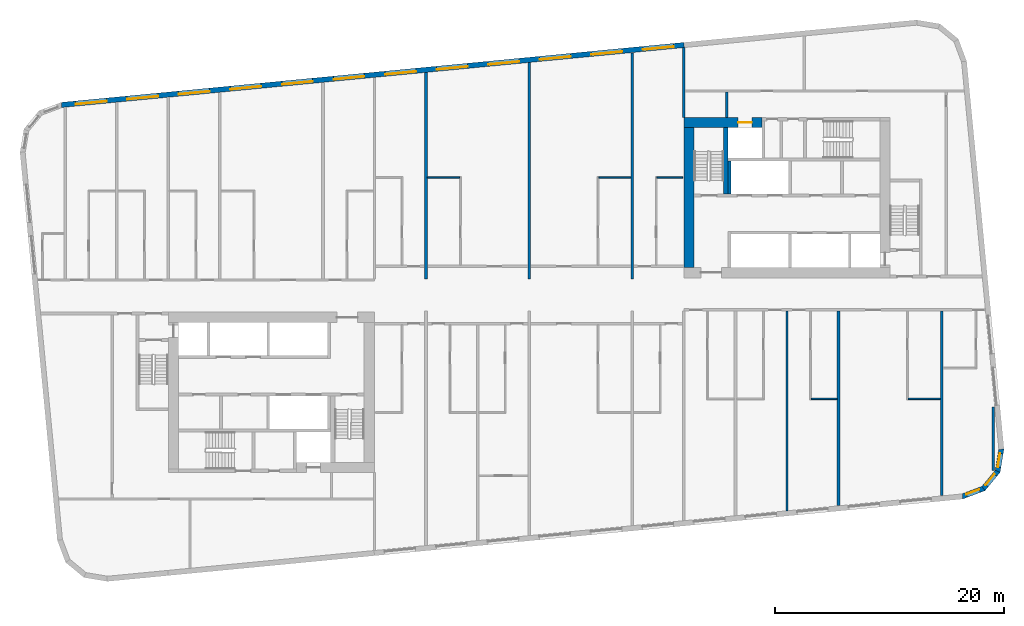
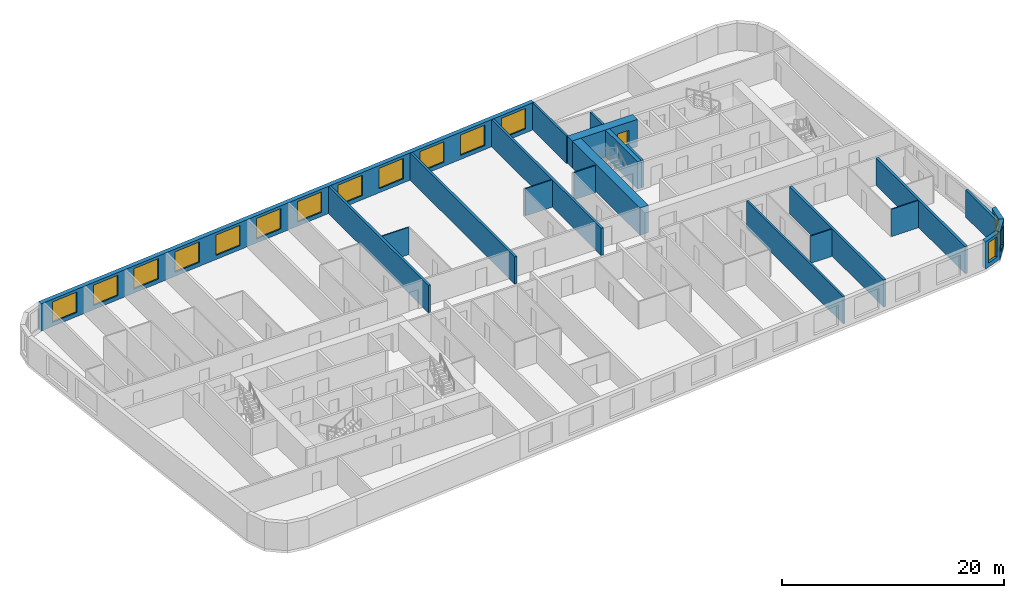
# One storey, part 6 of 12: 22 walls, 15 windows, 1 door, 16 openings.
"""IFC4 building model written with IfcOpenShell, lengths in metres."""

from ifc_helpers import new_model, si_unit, direction, frame, frame_2d, origin, place, context, subcontext, project, spatial, polyline, rectangle, outline, extrude, material, layer, layer_set, type_object, element, fill, save


model = new_model("IFC4")

# Units and contexts
model_context = context("Model", 3, precision=1e-05, world=origin(), true_north=direction((0.0, 1.0)))
body_context = subcontext(model_context, "Body", "Model", "MODEL_VIEW")
ifc_project = project(units=[si_unit("LENGTHUNIT", "METRE"), si_unit("AREAUNIT", "SQUARE_METRE"), si_unit("VOLUMEUNIT", "CUBIC_METRE"), si_unit("PLANEANGLEUNIT", "RADIAN"), si_unit("MASSUNIT", "GRAM", prefix="KILO")], contexts=[model_context])

# Site, building, storey
site_placement = place(None, origin())
site = spatial("IfcSite", under=ifc_project, at=site_placement, CompositionType="ELEMENT")
building_placement = place(site_placement, origin())
building = spatial("IfcBuilding", under=site, at=building_placement, Name="Kajstack Hotel Tower", CompositionType="ELEMENT")
storey_placement = place(building_placement, frame((0.0, 0.0, 203.199951171875)))
storey = spatial("IfcBuildingStorey", under=building, at=storey_placement, Name="L49", CompositionType="ELEMENT", Elevation=203.199951171875)

# Wall, opening, door
ifc_material_1 = material(Name="Concrete C60/75", Category="concrete")
ifc_layer_1 = layer(ifc_material_1, 0.89990234375)
ifc_layer_set_1 = layer_set([ifc_layer_1], Name="Core wall 900")
wall_type_1 = type_object("IfcWallType", Name="Core wall 900", PredefinedType="SHEAR", material=ifc_layer_set_1)
wall_1_placement = place(storey_placement, frame((13.5, 15.050048828125, 0.0), z_axis=(0.0, 0.0, 1.0), x_axis=(1.0, 0.0, 0.0)))
wall_1 = element("IfcWall", 1, at=wall_1_placement, inside=storey, type_object=wall_type_1, Name="Core wall E RS", PredefinedType="SHEAR", context=body_context, shape_type="SweptSolid", body=[
    extrude(rectangle(XDim=6.800048828125, YDim=0.89990234375, at=frame_2d((3.39990234375, 0.0))), origin(), (0.0, 0.0, 1.0), 3.0),
])
opening_1_placement = place(wall_1_placement, frame((4.72509765625, 0.0, 0.0)))
opening_1 = element("IfcOpeningElement", 2, at=opening_1_placement, cuts=wall_1, Name="Opening LD-SV2", PredefinedType="OPENING", context=body_context, shape_type="SweptSolid", body=[
    extrude(rectangle(XDim=1.199951171875, YDim=2.10009765625, at=frame_2d((0.60009765625, 1.050048828125))), frame((0.0, 0.4599609375, 0.0), z_axis=(0.0, -1.0, 0.0), x_axis=(1.0, 0.0, 0.0)), (0.0, 0.0, 1.0), 0.919921875),
])
ifc_material_2 = material(Name="Stainless steel", Category="steel")
door_type = type_object("IfcDoorType", Name="Lift landing door 1200", OperationType="SLIDING_TO_LEFT", PredefinedType="DOOR", material=ifc_material_2)
door_placement = place(opening_1_placement, origin())
door = element("IfcDoor", 3, at=door_placement, inside=storey, type_object=door_type, Name="Landing door SV2", OperationType="SLIDING_TO_LEFT", OverallHeight=2.10009765625, OverallWidth=1.199951171875, PredefinedType="DOOR", context=body_context, shape_type="SweptSolid", body=[
    extrude(rectangle(XDim=1.199951171875, YDim=2.10009765625, at=frame_2d((0.60009765625, 1.050048828125))), frame((0.0, 0.02490234375, 0.0), z_axis=(0.0, -1.0, 0.0), x_axis=(1.0, 0.0, 0.0)), (0.0, 0.0, 1.0), 0.050048828125),
])
fill(opening_1, door)

# Walls
wall_2_placement = place(storey_placement, frame((13.949951171875, 2.39990234375, 0.0), z_axis=(0.0, 0.0, 1.0), x_axis=(0.0, 1.0, 0.0)))
element("IfcWall", 4, at=wall_2_placement, inside=storey, type_object=wall_type_1, Name="Core wall E RE", PredefinedType="SHEAR", context=body_context, shape_type="SweptSolid", body=[
    extrude(rectangle(XDim=12.2001953125, YDim=0.89990234375, at=frame_2d((6.10009765625, 0.0))), origin(), (0.0, 0.0, 1.0), 3.0),
])
ifc_material_3 = material(Name="Twin-frame gypsum board on steel studs, mineral wool", Category="steel")
ifc_layer_2 = layer(ifc_material_3, 0.199951171875)
ifc_layer_set_2 = layer_set([ifc_layer_2], Name="Demising wall 200")
wall_type_2 = type_object("IfcWallType", Name="Demising wall 200", PredefinedType="PARTITIONING", material=ifc_layer_set_2)
wall_3_placement = place(storey_placement, frame((13.5, 15.5, 0.0), z_axis=(0.0, 0.0, 1.0), x_axis=(0.0, 1.0, 0.0)))
element("IfcWall", 5, at=wall_3_placement, inside=storey, type_object=wall_type_2, Name="G-wall-L49-001", PredefinedType="PARTITIONING", context=body_context, shape_type="SweptSolid", body=[
    extrude(rectangle(XDim=6.089111328125, YDim=0.199951171875, at=frame_2d((3.04443359375, 0.0))), origin(), (0.0, 0.0, 1.0), 3.0),
])
wall_4_placement = place(storey_placement, frame((22.5, -18.833984375, 0.0), z_axis=(0.0, 0.0, 1.0), x_axis=(0.0, 1.0, 0.0)))
element("IfcWall", 6, at=wall_4_placement, inside=storey, type_object=wall_type_2, Name="G-wall-L49-045", PredefinedType="PARTITIONING", context=body_context, shape_type="SweptSolid", body=[
    extrude(rectangle(XDim=17.43408203125, YDim=0.199951171875, at=frame_2d((8.717041015625, 0.0))), origin(), (0.0, 0.0, 1.0), 3.0),
])

# Wall, opening, window
ifc_material_4 = material(Name="Terracotta-faced brick masonry", Category="masonry")
ifc_layer_3 = layer(ifc_material_4, 0.449951171875)
ifc_layer_set_3 = layer_set([ifc_layer_3], Name="EW-TERRA")
wall_type_3 = type_object("IfcWallType", Name="EW-TERRA", PredefinedType="SOLIDWALL", material=ifc_layer_set_3)
wall_5_placement = place(storey_placement, frame((37.76123046875, -17.598388671875, 0.0), z_axis=(0.0, 0.0, 1.0), x_axis=(0.936677599948, 0.350192909346, 0.0)))
wall_5 = element("IfcWall", 7, at=wall_5_placement, inside=storey, type_object=wall_type_3, Name="E-wall-L49-05-00", PredefinedType="SOLIDWALL", context=body_context, shape_type="SweptSolid", body=[
    extrude(outline(polyline([(0.0, -0.22509765625), (2.070556640625, -0.224853515625), (1.949951171875, 0.22509765625), (0.12060546875, 0.22509765625), (0.0, -0.22509765625)])), origin(), (0.0, 0.0, 1.0), 3.0),
])
opening_2_placement = place(wall_5_placement, frame((0.435302734375, 0.0, 0.449951171875)))
opening_2 = element("IfcOpeningElement", 8, at=opening_2_placement, cuts=wall_5, Name="Opening W3", PredefinedType="OPENING", context=body_context, shape_type="SweptSolid", body=[
    extrude(rectangle(XDim=1.199951171875, YDim=2.25, at=frame_2d((0.60009765625, 1.125))), frame((0.0, 0.23486328125, 0.0), z_axis=(0.0, -1.0, 0.0), x_axis=(1.0, 0.0, 0.0)), (0.0, 0.0, 1.0), 0.469970703125),
])
ifc_material_5 = material(Name="Timber-aluminium window, triple glazed", Category="wood")
window_type_1 = type_object("IfcWindowType", Name="WG3", PartitioningType="SINGLE_PANEL", PredefinedType="WINDOW", material=ifc_material_5)
window_1_placement = place(opening_2_placement, origin())
window_1 = element("IfcWindow", 9, at=window_1_placement, inside=storey, type_object=window_type_1, Name="Window W3 L49-05", OverallHeight=2.25, OverallWidth=1.199951171875, PartitioningType="SINGLE_PANEL", PredefinedType="WINDOW", context=body_context, shape_type="SweptSolid", body=[
    extrude(rectangle(XDim=1.199951171875, YDim=2.25, at=frame_2d((0.60009765625, 1.125))), frame((0.0, 0.090087890625, 0.0), z_axis=(0.0, -1.0, 0.0), x_axis=(1.0, 0.0, 0.0)), (0.0, 0.0, 1.0), 0.06005859375),
])
fill(opening_2, window_1)

wall_6_placement = place(storey_placement, frame((39.60595703125, -16.94091796875, 0.0), z_axis=(0.0, 0.0, 1.0), x_axis=(0.636116318187, 0.771593176315, 0.0)))
wall_6 = element("IfcWall", 10, at=wall_6_placement, inside=storey, type_object=wall_type_3, Name="E-wall-L49-06-00", PredefinedType="SOLIDWALL", context=body_context, shape_type="SweptSolid", body=[
    extrude(outline(polyline([(0.0, -0.224853515625), (2.070556640625, -0.224853515625), (1.949951171875, 0.22509765625), (0.12060546875, 0.22509765625), (0.0, -0.224853515625)])), origin(), (0.0, 0.0, 1.0), 3.0),
])
opening_3_placement = place(wall_6_placement, frame((0.435302734375, 0.0, 0.449951171875)))
opening_3 = element("IfcOpeningElement", 11, at=opening_3_placement, cuts=wall_6, Name="Opening W3", PredefinedType="OPENING", context=body_context, shape_type="SweptSolid", body=[
    extrude(rectangle(XDim=1.199951171875, YDim=2.25, at=frame_2d((0.60009765625, 1.125))), frame((0.0, 0.23486328125, 0.0), z_axis=(0.0, -1.0, 0.0), x_axis=(1.0, 0.0, 0.0)), (0.0, 0.0, 1.0), 0.469970703125),
])
window_2_placement = place(opening_3_placement, origin())
window_2 = element("IfcWindow", 12, at=window_2_placement, inside=storey, type_object=window_type_1, Name="Window W3 L49-06", OverallHeight=2.25, OverallWidth=1.199951171875, PartitioningType="SINGLE_PANEL", PredefinedType="WINDOW", context=body_context, shape_type="SweptSolid", body=[
    extrude(rectangle(XDim=1.199951171875, YDim=2.25, at=frame_2d((0.60009765625, 1.125))), frame((0.0, 0.090087890625, 0.0), z_axis=(0.0, -1.0, 0.0), x_axis=(1.0, 0.0, 0.0)), (0.0, 0.0, 1.0), 0.06005859375),
])
fill(opening_3, window_2)

wall_7_placement = place(storey_placement, frame((40.874755859375, -15.44921875, 0.0), z_axis=(0.0, 0.0, 1.0), x_axis=(0.164953448126, 0.986301353518, 0.0)))
wall_7 = element("IfcWall", 13, at=wall_7_placement, inside=storey, type_object=wall_type_3, Name="E-wall-L49-07-00", PredefinedType="SOLIDWALL", context=body_context, shape_type="SweptSolid", body=[
    extrude(outline(polyline([(0.0, -0.224853515625), (2.070556640625, -0.22509765625), (1.9501953125, 0.224853515625), (0.12060546875, 0.22509765625), (0.0, -0.224853515625)])), origin(), (0.0, 0.0, 1.0), 3.0),
])
opening_4_placement = place(wall_7_placement, frame((0.435302734375, 0.0, 0.449951171875)))
opening_4 = element("IfcOpeningElement", 14, at=opening_4_placement, cuts=wall_7, Name="Opening W3", PredefinedType="OPENING", context=body_context, shape_type="SweptSolid", body=[
    extrude(rectangle(XDim=1.199951171875, YDim=2.25, at=frame_2d((0.60009765625, 1.125))), frame((0.0, 0.23486328125, 0.0), z_axis=(0.0, -1.0, 0.0), x_axis=(1.0, 0.0, 0.0)), (0.0, 0.0, 1.0), 0.469970703125),
])
window_3_placement = place(opening_4_placement, origin())
window_3 = element("IfcWindow", 15, at=window_3_placement, inside=storey, type_object=window_type_1, Name="Window W3 L49-07", OverallHeight=2.25, OverallWidth=1.199951171875, PartitioningType="SINGLE_PANEL", PredefinedType="WINDOW", context=body_context, shape_type="SweptSolid", body=[
    extrude(rectangle(XDim=1.199951171875, YDim=2.25, at=frame_2d((0.60009765625, 1.125))), frame((0.0, 0.090087890625, 0.0), z_axis=(0.0, -1.0, 0.0), x_axis=(1.0, 0.0, 0.0)), (0.0, 0.0, 1.0), 0.06005859375),
])
fill(opening_4, window_3)

# Wall, openings, windows
wall_8_placement = place(storey_placement, frame((13.521484375, 21.8173828125, 0.0), z_axis=(0.0, 0.0, 1.0), x_axis=(-0.995396508751, -0.095842529008, 0.0)))
wall_8 = element("IfcWall", 16, at=wall_8_placement, inside=storey, type_object=wall_type_3, Name="E-wall-L49-12-02", PredefinedType="SOLIDWALL", context=body_context, shape_type="SweptSolid", body=[
    extrude(rectangle(XDim=54.59130859375, YDim=0.449951171875, at=frame_2d((27.295654296875, 0.0))), origin(), (0.0, 0.0, 1.0), 3.0),
])
opening_5_placement = place(wall_8_placement, frame((0.910400390625, 0.0, 0.449951171875)))
opening_5 = element("IfcOpeningElement", 17, at=opening_5_placement, cuts=wall_8, Name="Opening W1", PredefinedType="OPENING", context=body_context, shape_type="SweptSolid", body=[
    extrude(rectangle(XDim=2.699951171875, YDim=2.25, at=frame_2d((1.35009765625, 1.125))), frame((0.0, 0.23486328125, 0.0), z_axis=(0.0, -1.0, 0.0), x_axis=(1.0, 0.0, 0.0)), (0.0, 0.0, 1.0), 0.469970703125),
])
opening_6_placement = place(wall_8_placement, frame((5.43115234375, 0.0, 0.449951171875)))
opening_6 = element("IfcOpeningElement", 18, at=opening_6_placement, cuts=wall_8, Name="Opening W1", PredefinedType="OPENING", context=body_context, shape_type="SweptSolid", body=[
    extrude(rectangle(XDim=2.699951171875, YDim=2.25, at=frame_2d((1.35009765625, 1.125))), frame((0.0, 0.23486328125, 0.0), z_axis=(0.0, -1.0, 0.0), x_axis=(1.0, 0.0, 0.0)), (0.0, 0.0, 1.0), 0.469970703125),
])
opening_7_placement = place(wall_8_placement, frame((9.951904296875, 0.0, 0.449951171875)))
opening_7 = element("IfcOpeningElement", 19, at=opening_7_placement, cuts=wall_8, Name="Opening W1", PredefinedType="OPENING", context=body_context, shape_type="SweptSolid", body=[
    extrude(rectangle(XDim=2.699951171875, YDim=2.25, at=frame_2d((1.35009765625, 1.125))), frame((0.0, 0.23486328125, 0.0), z_axis=(0.0, -1.0, 0.0), x_axis=(1.0, 0.0, 0.0)), (0.0, 0.0, 1.0), 0.469970703125),
])
opening_8_placement = place(wall_8_placement, frame((14.472900390625, 0.0, 0.449951171875)))
opening_8 = element("IfcOpeningElement", 20, at=opening_8_placement, cuts=wall_8, Name="Opening W1", PredefinedType="OPENING", context=body_context, shape_type="SweptSolid", body=[
    extrude(rectangle(XDim=2.699951171875, YDim=2.25, at=frame_2d((1.35009765625, 1.125))), frame((0.0, 0.23486328125, 0.0), z_axis=(0.0, -1.0, 0.0), x_axis=(1.0, 0.0, 0.0)), (0.0, 0.0, 1.0), 0.469970703125),
])
opening_9_placement = place(wall_8_placement, frame((18.99365234375, 0.0, 0.449951171875)))
opening_9 = element("IfcOpeningElement", 21, at=opening_9_placement, cuts=wall_8, Name="Opening W1", PredefinedType="OPENING", context=body_context, shape_type="SweptSolid", body=[
    extrude(rectangle(XDim=2.699951171875, YDim=2.25, at=frame_2d((1.35009765625, 1.125))), frame((0.0, 0.23486328125, 0.0), z_axis=(0.0, -1.0, 0.0), x_axis=(1.0, 0.0, 0.0)), (0.0, 0.0, 1.0), 0.469970703125),
])
opening_10_placement = place(wall_8_placement, frame((23.514404296875, 0.0, 0.449951171875)))
opening_10 = element("IfcOpeningElement", 22, at=opening_10_placement, cuts=wall_8, Name="Opening W1", PredefinedType="OPENING", context=body_context, shape_type="SweptSolid", body=[
    extrude(rectangle(XDim=2.699951171875, YDim=2.25, at=frame_2d((1.35009765625, 1.125))), frame((0.0, 0.23486328125, 0.0), z_axis=(0.0, -1.0, 0.0), x_axis=(1.0, 0.0, 0.0)), (0.0, 0.0, 1.0), 0.469970703125),
])
opening_11_placement = place(wall_8_placement, frame((28.03515625, 0.0, 0.449951171875)))
opening_11 = element("IfcOpeningElement", 23, at=opening_11_placement, cuts=wall_8, Name="Opening W1", PredefinedType="OPENING", context=body_context, shape_type="SweptSolid", body=[
    extrude(rectangle(XDim=2.699951171875, YDim=2.25, at=frame_2d((1.35009765625, 1.125))), frame((0.0, 0.23486328125, 0.0), z_axis=(0.0, -1.0, 0.0), x_axis=(1.0, 0.0, 0.0)), (0.0, 0.0, 1.0), 0.469970703125),
])
opening_12_placement = place(wall_8_placement, frame((32.555908203125, 0.0, 0.449951171875)))
opening_12 = element("IfcOpeningElement", 24, at=opening_12_placement, cuts=wall_8, Name="Opening W1", PredefinedType="OPENING", context=body_context, shape_type="SweptSolid", body=[
    extrude(rectangle(XDim=2.699951171875, YDim=2.25, at=frame_2d((1.35009765625, 1.125))), frame((0.0, 0.23486328125, 0.0), z_axis=(0.0, -1.0, 0.0), x_axis=(1.0, 0.0, 0.0)), (0.0, 0.0, 1.0), 0.469970703125),
])
opening_13_placement = place(wall_8_placement, frame((37.076904296875, 0.0, 0.449951171875)))
opening_13 = element("IfcOpeningElement", 25, at=opening_13_placement, cuts=wall_8, Name="Opening W1", PredefinedType="OPENING", context=body_context, shape_type="SweptSolid", body=[
    extrude(rectangle(XDim=2.699951171875, YDim=2.25, at=frame_2d((1.35009765625, 1.125))), frame((0.0, 0.23486328125, 0.0), z_axis=(0.0, -1.0, 0.0), x_axis=(1.0, 0.0, 0.0)), (0.0, 0.0, 1.0), 0.469970703125),
])
opening_14_placement = place(wall_8_placement, frame((41.59765625, 0.0, 0.449951171875)))
opening_14 = element("IfcOpeningElement", 26, at=opening_14_placement, cuts=wall_8, Name="Opening W1", PredefinedType="OPENING", context=body_context, shape_type="SweptSolid", body=[
    extrude(rectangle(XDim=2.699951171875, YDim=2.25, at=frame_2d((1.35009765625, 1.125))), frame((0.0, 0.23486328125, 0.0), z_axis=(0.0, -1.0, 0.0), x_axis=(1.0, 0.0, 0.0)), (0.0, 0.0, 1.0), 0.469970703125),
])
opening_15_placement = place(wall_8_placement, frame((46.118408203125, 0.0, 0.449951171875)))
opening_15 = element("IfcOpeningElement", 27, at=opening_15_placement, cuts=wall_8, Name="Opening W1", PredefinedType="OPENING", context=body_context, shape_type="SweptSolid", body=[
    extrude(rectangle(XDim=2.699951171875, YDim=2.25, at=frame_2d((1.35009765625, 1.125))), frame((0.0, 0.23486328125, 0.0), z_axis=(0.0, -1.0, 0.0), x_axis=(1.0, 0.0, 0.0)), (0.0, 0.0, 1.0), 0.469970703125),
])
opening_16_placement = place(wall_8_placement, frame((50.62890625, 0.0, 0.449951171875)))
opening_16 = element("IfcOpeningElement", 28, at=opening_16_placement, cuts=wall_8, Name="Opening W1", PredefinedType="OPENING", context=body_context, shape_type="SweptSolid", body=[
    extrude(rectangle(XDim=2.699951171875, YDim=2.25, at=frame_2d((1.35009765625, 1.125))), frame((0.0, 0.23486328125, 0.0), z_axis=(0.0, -1.0, 0.0), x_axis=(1.0, 0.0, 0.0)), (0.0, 0.0, 1.0), 0.469970703125),
])
window_type_2 = type_object("IfcWindowType", Name="WG1", PartitioningType="SINGLE_PANEL", PredefinedType="WINDOW", material=ifc_material_5)
window_4_placement = place(opening_5_placement, origin())
window_4 = element("IfcWindow", 29, at=window_4_placement, inside=storey, type_object=window_type_2, Name="Window W1 L49-12", OverallHeight=2.25, OverallWidth=2.699951171875, PartitioningType="SINGLE_PANEL", PredefinedType="WINDOW", context=body_context, shape_type="SweptSolid", body=[
    extrude(rectangle(XDim=2.699951171875, YDim=2.25, at=frame_2d((1.35009765625, 1.125))), frame((0.0, 0.090087890625, 0.0), z_axis=(0.0, -1.0, 0.0), x_axis=(1.0, 0.0, 0.0)), (0.0, 0.0, 1.0), 0.06005859375),
])
fill(opening_5, window_4)
window_5_placement = place(opening_6_placement, origin())
window_5 = element("IfcWindow", 30, at=window_5_placement, inside=storey, type_object=window_type_2, Name="Window W1 L49-12", OverallHeight=2.25, OverallWidth=2.699951171875, PartitioningType="SINGLE_PANEL", PredefinedType="WINDOW", context=body_context, shape_type="SweptSolid", body=[
    extrude(rectangle(XDim=2.699951171875, YDim=2.25, at=frame_2d((1.35009765625, 1.125))), frame((0.0, 0.090087890625, 0.0), z_axis=(0.0, -1.0, 0.0), x_axis=(1.0, 0.0, 0.0)), (0.0, 0.0, 1.0), 0.06005859375),
])
fill(opening_6, window_5)
window_6_placement = place(opening_7_placement, origin())
window_6 = element("IfcWindow", 31, at=window_6_placement, inside=storey, type_object=window_type_2, Name="Window W1 L49-12", OverallHeight=2.25, OverallWidth=2.699951171875, PartitioningType="SINGLE_PANEL", PredefinedType="WINDOW", context=body_context, shape_type="SweptSolid", body=[
    extrude(rectangle(XDim=2.699951171875, YDim=2.25, at=frame_2d((1.35009765625, 1.125))), frame((0.0, 0.090087890625, 0.0), z_axis=(0.0, -1.0, 0.0), x_axis=(1.0, 0.0, 0.0)), (0.0, 0.0, 1.0), 0.06005859375),
])
fill(opening_7, window_6)
window_7_placement = place(opening_8_placement, origin())
window_7 = element("IfcWindow", 32, at=window_7_placement, inside=storey, type_object=window_type_2, Name="Window W1 L49-12", OverallHeight=2.25, OverallWidth=2.699951171875, PartitioningType="SINGLE_PANEL", PredefinedType="WINDOW", context=body_context, shape_type="SweptSolid", body=[
    extrude(rectangle(XDim=2.699951171875, YDim=2.25, at=frame_2d((1.35009765625, 1.125))), frame((0.0, 0.090087890625, 0.0), z_axis=(0.0, -1.0, 0.0), x_axis=(1.0, 0.0, 0.0)), (0.0, 0.0, 1.0), 0.06005859375),
])
fill(opening_8, window_7)
window_8_placement = place(opening_9_placement, origin())
window_8 = element("IfcWindow", 33, at=window_8_placement, inside=storey, type_object=window_type_2, Name="Window W1 L49-12", OverallHeight=2.25, OverallWidth=2.699951171875, PartitioningType="SINGLE_PANEL", PredefinedType="WINDOW", context=body_context, shape_type="SweptSolid", body=[
    extrude(rectangle(XDim=2.699951171875, YDim=2.25, at=frame_2d((1.35009765625, 1.125))), frame((0.0, 0.090087890625, 0.0), z_axis=(0.0, -1.0, 0.0), x_axis=(1.0, 0.0, 0.0)), (0.0, 0.0, 1.0), 0.06005859375),
])
fill(opening_9, window_8)
window_9_placement = place(opening_10_placement, origin())
window_9 = element("IfcWindow", 34, at=window_9_placement, inside=storey, type_object=window_type_2, Name="Window W1 L49-12", OverallHeight=2.25, OverallWidth=2.699951171875, PartitioningType="SINGLE_PANEL", PredefinedType="WINDOW", context=body_context, shape_type="SweptSolid", body=[
    extrude(rectangle(XDim=2.699951171875, YDim=2.25, at=frame_2d((1.35009765625, 1.125))), frame((0.0, 0.090087890625, 0.0), z_axis=(0.0, -1.0, 0.0), x_axis=(1.0, 0.0, 0.0)), (0.0, 0.0, 1.0), 0.06005859375),
])
fill(opening_10, window_9)
window_10_placement = place(opening_11_placement, origin())
window_10 = element("IfcWindow", 35, at=window_10_placement, inside=storey, type_object=window_type_2, Name="Window W1 L49-12", OverallHeight=2.25, OverallWidth=2.699951171875, PartitioningType="SINGLE_PANEL", PredefinedType="WINDOW", context=body_context, shape_type="SweptSolid", body=[
    extrude(rectangle(XDim=2.699951171875, YDim=2.25, at=frame_2d((1.35009765625, 1.125))), frame((0.0, 0.090087890625, 0.0), z_axis=(0.0, -1.0, 0.0), x_axis=(1.0, 0.0, 0.0)), (0.0, 0.0, 1.0), 0.06005859375),
])
fill(opening_11, window_10)
window_11_placement = place(opening_12_placement, origin())
window_11 = element("IfcWindow", 36, at=window_11_placement, inside=storey, type_object=window_type_2, Name="Window W1 L49-12", OverallHeight=2.25, OverallWidth=2.699951171875, PartitioningType="SINGLE_PANEL", PredefinedType="WINDOW", context=body_context, shape_type="SweptSolid", body=[
    extrude(rectangle(XDim=2.699951171875, YDim=2.25, at=frame_2d((1.35009765625, 1.125))), frame((0.0, 0.090087890625, 0.0), z_axis=(0.0, -1.0, 0.0), x_axis=(1.0, 0.0, 0.0)), (0.0, 0.0, 1.0), 0.06005859375),
])
fill(opening_12, window_11)
window_12_placement = place(opening_13_placement, origin())
window_12 = element("IfcWindow", 37, at=window_12_placement, inside=storey, type_object=window_type_2, Name="Window W1 L49-12", OverallHeight=2.25, OverallWidth=2.699951171875, PartitioningType="SINGLE_PANEL", PredefinedType="WINDOW", context=body_context, shape_type="SweptSolid", body=[
    extrude(rectangle(XDim=2.699951171875, YDim=2.25, at=frame_2d((1.35009765625, 1.125))), frame((0.0, 0.090087890625, 0.0), z_axis=(0.0, -1.0, 0.0), x_axis=(1.0, 0.0, 0.0)), (0.0, 0.0, 1.0), 0.06005859375),
])
fill(opening_13, window_12)
window_13_placement = place(opening_14_placement, origin())
window_13 = element("IfcWindow", 38, at=window_13_placement, inside=storey, type_object=window_type_2, Name="Window W1 L49-12", OverallHeight=2.25, OverallWidth=2.699951171875, PartitioningType="SINGLE_PANEL", PredefinedType="WINDOW", context=body_context, shape_type="SweptSolid", body=[
    extrude(rectangle(XDim=2.699951171875, YDim=2.25, at=frame_2d((1.35009765625, 1.125))), frame((0.0, 0.090087890625, 0.0), z_axis=(0.0, -1.0, 0.0), x_axis=(1.0, 0.0, 0.0)), (0.0, 0.0, 1.0), 0.06005859375),
])
fill(opening_14, window_13)
window_14_placement = place(opening_15_placement, origin())
window_14 = element("IfcWindow", 39, at=window_14_placement, inside=storey, type_object=window_type_2, Name="Window W1 L49-12", OverallHeight=2.25, OverallWidth=2.699951171875, PartitioningType="SINGLE_PANEL", PredefinedType="WINDOW", context=body_context, shape_type="SweptSolid", body=[
    extrude(rectangle(XDim=2.699951171875, YDim=2.25, at=frame_2d((1.35009765625, 1.125))), frame((0.0, 0.090087890625, 0.0), z_axis=(0.0, -1.0, 0.0), x_axis=(1.0, 0.0, 0.0)), (0.0, 0.0, 1.0), 0.06005859375),
])
fill(opening_15, window_14)
window_15_placement = place(opening_16_placement, origin())
window_15 = element("IfcWindow", 40, at=window_15_placement, inside=storey, type_object=window_type_2, Name="Window W1 L49-12", OverallHeight=2.25, OverallWidth=2.699951171875, PartitioningType="SINGLE_PANEL", PredefinedType="WINDOW", context=body_context, shape_type="SweptSolid", body=[
    extrude(rectangle(XDim=2.699951171875, YDim=2.25, at=frame_2d((1.35009765625, 1.125))), frame((0.0, 0.090087890625, 0.0), z_axis=(0.0, -1.0, 0.0), x_axis=(1.0, 0.0, 0.0)), (0.0, 0.0, 1.0), 0.06005859375),
])
fill(opening_16, window_15)

# Walls
ifc_material_6 = material(Name="Gypsum board and tiled backer on steel studs", Category="steel")
ifc_layer_4 = layer(ifc_material_6, 0.125)
ifc_layer_set_4 = layer_set([ifc_layer_4], Name="En-suite wall 125")
wall_type_4 = type_object("IfcWallType", Name="En-suite wall 125", PredefinedType="PARTITIONING", material=ifc_layer_set_4)
for number, where, z_axis, x_axis, name in (
    (41, (-8.875, 10.261962890625, 0.0), (0.0, 0.0, 1.0), (1.0, 0.0, 0.0), "G-wall-L49-023"),
    (42, (6.074951171875, 10.261962890625, 0.0), (0.0, 0.0, 1.0), (1.0, 0.0, 0.0), "G-wall-L49-025"),
):
    element("IfcWall", number, at=place(storey_placement, frame(where, z_axis=z_axis, x_axis=x_axis)), inside=storey, type_object=wall_type_4, Name=name, PredefinedType="PARTITIONING", context=body_context, shape_type="SweptSolid", body=[
        extrude(rectangle(XDim=2.800048828125, YDim=0.125, at=frame_2d((1.39990234375, 0.0))), origin(), (0.0, 0.0, 1.0), 3.0),
    ])
for number, where, z_axis, x_axis, name in (
    (43, (11.14990234375, 10.261962890625, 0.0), (0.0, 0.0, 1.0), (1.0, 0.0, 0.0), "G-wall-L49-027"),
    (44, (24.625, -9.06201171875, 0.0), (0.0, 0.0, 1.0), (1.0, 0.0, 0.0), "G-wall-L49-049"),
):
    element("IfcWall", number, at=place(storey_placement, frame(where, z_axis=z_axis, x_axis=x_axis)), inside=storey, type_object=wall_type_4, Name=name, PredefinedType="PARTITIONING", context=body_context, shape_type="SweptSolid", body=[
        extrude(rectangle(XDim=2.25, YDim=0.125, at=frame_2d((1.125, 0.0))), origin(), (0.0, 0.0, 1.0), 3.0),
    ])
wall_9_placement = place(storey_placement, frame((33.074951171875, -9.06201171875, 0.0), z_axis=(0.0, 0.0, 1.0), x_axis=(1.0, 0.0, 0.0)))
element("IfcWall", 45, at=wall_9_placement, inside=storey, type_object=wall_type_4, Name="G-wall-L49-051", PredefinedType="PARTITIONING", context=body_context, shape_type="SweptSolid", body=[
    extrude(rectangle(XDim=2.800048828125, YDim=0.125, at=frame_2d((1.39990234375, 0.0))), origin(), (0.0, 0.0, 1.0), 3.0),
])
ifc_material_7 = material(Name="Concrete C50/60", Category="concrete")
ifc_layer_5 = layer(ifc_material_7, 0.25)
ifc_layer_set_5 = layer_set([ifc_layer_5], Name="RC cross wall 250 C50/60")
wall_type_5 = type_object("IfcWallType", Name="RC cross wall 250 C50/60", PredefinedType="SHEAR", material=ifc_layer_set_5)
wall_10_placement = place(storey_placement, frame((-9.0, 1.39990234375, 0.0), z_axis=(0.0, 0.0, 1.0), x_axis=(0.0, 1.0, 0.0)))
element("IfcWall", 46, at=wall_10_placement, inside=storey, type_object=wall_type_5, Name="S-wall-L49-05", PredefinedType="SHEAR", context=body_context, shape_type="SweptSolid", body=[
    extrude(rectangle(XDim=18.0009765625, YDim=0.25, at=frame_2d((9.00048828125, 0.0))), origin(), (0.0, 0.0, 1.0), 3.0),
])
wall_11_placement = place(storey_placement, frame((0.0, 1.39990234375, 0.0), z_axis=(0.0, 0.0, 1.0), x_axis=(0.0, 1.0, 0.0)))
element("IfcWall", 47, at=wall_11_placement, inside=storey, type_object=wall_type_5, Name="S-wall-L49-07", PredefinedType="SHEAR", context=body_context, shape_type="SweptSolid", body=[
    extrude(rectangle(XDim=18.867431640625, YDim=0.25, at=frame_2d((9.43359375, 0.0))), origin(), (0.0, 0.0, 1.0), 3.0),
])
wall_12_placement = place(storey_placement, frame((9.0, 1.39990234375, 0.0), z_axis=(0.0, 0.0, 1.0), x_axis=(0.0, 1.0, 0.0)))
element("IfcWall", 48, at=wall_12_placement, inside=storey, type_object=wall_type_5, Name="S-wall-L49-09", PredefinedType="SHEAR", context=body_context, shape_type="SweptSolid", body=[
    extrude(rectangle(XDim=19.734130859375, YDim=0.25, at=frame_2d((9.8671875, 0.0))), origin(), (0.0, 0.0, 1.0), 3.0),
])
wall_13_placement = place(storey_placement, frame((27.0, -18.378662109375, 0.0), z_axis=(0.0, 0.0, 1.0), x_axis=(0.0, 1.0, 0.0)))
element("IfcWall", 49, at=wall_13_placement, inside=storey, type_object=wall_type_5, Name="S-wall-L49-11", PredefinedType="SHEAR", context=body_context, shape_type="SweptSolid", body=[
    extrude(rectangle(XDim=16.978759765625, YDim=0.25, at=frame_2d((8.4892578125, 0.0))), origin(), (0.0, 0.0, 1.0), 3.0),
])
wall_14_placement = place(storey_placement, frame((36.0, -17.51220703125, 0.0), z_axis=(0.0, 0.0, 1.0), x_axis=(0.0, 1.0, 0.0)))
element("IfcWall", 50, at=wall_14_placement, inside=storey, type_object=wall_type_5, Name="S-wall-L49-12", PredefinedType="SHEAR", context=body_context, shape_type="SweptSolid", body=[
    extrude(rectangle(XDim=16.1123046875, YDim=0.25, at=frame_2d((8.05615234375, 0.0))), origin(), (0.0, 0.0, 1.0), 3.0),
])
wall_15_placement = place(storey_placement, frame((40.5, -15.335205078125, 0.0), z_axis=(0.0, 0.0, 1.0), x_axis=(0.0, 1.0, 0.0)))
element("IfcWall", 51, at=wall_15_placement, inside=storey, type_object=wall_type_5, Name="S-wall-L49-13", PredefinedType="SHEAR", context=body_context, shape_type="SweptSolid", body=[
    extrude(rectangle(XDim=5.5380859375, YDim=0.25, at=frame_2d((2.76904296875, 0.0))), origin(), (0.0, 0.0, 1.0), 3.0),
])
ifc_material_8 = material(Name="Gypsum board on steel studs, mineral wool", Category="steel")
ifc_layer_6 = layer(ifc_material_8, 0.199951171875)
ifc_layer_set_6 = layer_set([ifc_layer_6], Name="Service partition 200")
wall_type_6 = type_object("IfcWallType", Name="Service partition 200", PredefinedType="PARTITIONING", material=ifc_layer_set_6)
wall_16_placement = place(storey_placement, frame((17.25, 15.5, 0.0), z_axis=(0.0, 0.0, 1.0), x_axis=(0.0, 1.0, 0.0)))
element("IfcWall", 52, at=wall_16_placement, inside=storey, type_object=wall_type_6, Name="Partition E SCE", PredefinedType="PARTITIONING", context=body_context, shape_type="SweptSolid", body=[
    extrude(rectangle(XDim=2.199951171875, YDim=0.199951171875, at=frame_2d((1.10009765625, 0.0))), origin(), (0.0, 0.0, 1.0), 3.0),
])
ifc_layer_7 = layer(ifc_material_7, 0.25)
ifc_layer_set_7 = layer_set([ifc_layer_7], Name="Shaft wall 250")
wall_type_7 = type_object("IfcWallType", Name="Shaft wall 250", PredefinedType="SHEAR", material=ifc_layer_set_7)
wall_17_placement = place(storey_placement, frame((17.47509765625, 8.800048828125, 0.0), z_axis=(0.0, 0.0, 1.0), x_axis=(0.0, 1.0, 0.0)))
element("IfcWall", 53, at=wall_17_placement, inside=storey, type_object=wall_type_7, Name="Core wall E BE", PredefinedType="SHEAR", context=body_context, shape_type="SweptSolid", body=[
    extrude(rectangle(XDim=2.89990234375, YDim=0.25, at=frame_2d((1.449951171875, 0.0))), origin(), (0.0, 0.0, 1.0), 3.0),
])
ifc_layer_8 = layer(ifc_material_7, 0.39990234375)
ifc_layer_set_8 = layer_set([ifc_layer_8], Name="Stair wall 400")
wall_type_8 = type_object("IfcWallType", Name="Stair wall 400", PredefinedType="SHEAR", material=ifc_layer_set_8)
wall_18_placement = place(storey_placement, frame((17.14990234375, 8.800048828125, 0.0), z_axis=(0.0, 0.0, 1.0), x_axis=(0.0, 1.0, 0.0)))
element("IfcWall", 54, at=wall_18_placement, inside=storey, type_object=wall_type_8, Name="Core wall E WW2", PredefinedType="SHEAR", context=body_context, shape_type="SweptSolid", body=[
    extrude(rectangle(XDim=5.800048828125, YDim=0.39990234375, at=frame_2d((2.89990234375, 0.0))), origin(), (0.0, 0.0, 1.0), 3.0),
])

save(model, "model.ifc")
